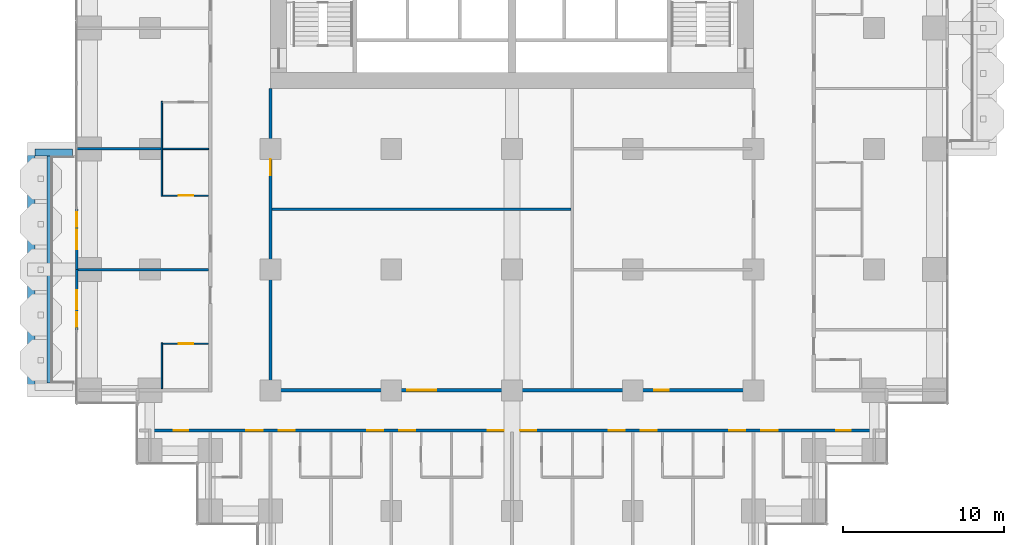
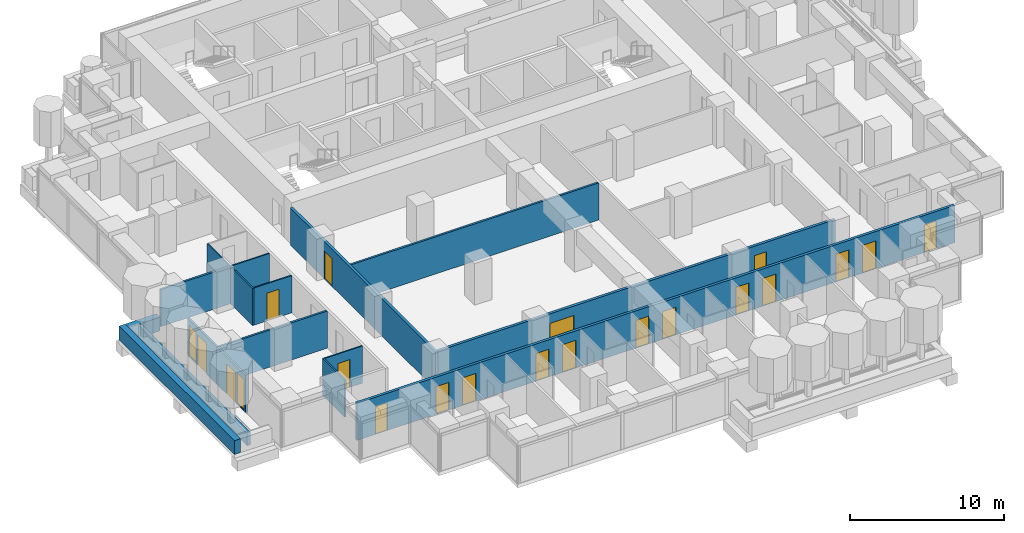
# One storey, part 12 of 20: 19 doors, 16 walls, 2 windows, 21 openings.
"""IFC4 building model written with IfcOpenShell, lengths in metres."""

from ifc_helpers import new_model, si_unit, direction, frame, frame_2d, origin, place, context, subcontext, project, spatial, rectangle, extrude, material, layer, layer_set, type_object, element, fill, save


model = new_model("IFC4")

# Units and contexts
model_context = context("Model", 3, precision=1e-05, world=origin(), true_north=direction((0.0, 1.0)))
body_context = subcontext(model_context, "Body", "Model", "MODEL_VIEW")
ifc_project = project(units=[si_unit("LENGTHUNIT", "METRE"), si_unit("AREAUNIT", "SQUARE_METRE"), si_unit("VOLUMEUNIT", "CUBIC_METRE"), si_unit("PLANEANGLEUNIT", "RADIAN"), si_unit("MASSUNIT", "GRAM", prefix="KILO")], contexts=[model_context])

# Site, building, storey
site_placement = place(None, origin())
site = spatial("IfcSite", under=ifc_project, at=site_placement, CompositionType="ELEMENT")
building_placement = place(site_placement, origin())
building = spatial("IfcBuilding", under=site, at=building_placement, Name="Pilkhan Gate Tower", CompositionType="ELEMENT")
storey_placement = place(building_placement, frame((0.0, 0.0, 98.89990234375)))
storey = spatial("IfcBuildingStorey", under=building, at=storey_placement, Name="L24", CompositionType="ELEMENT", Elevation=98.89990234375)

# Walls
ifc_material_1 = material(Name="Concrete C40/50", Category="concrete")
ifc_layer_1 = layer(ifc_material_1, 0.25)
ifc_layer_set_1 = layer_set([ifc_layer_1], Name="Balcony planter BP250")
wall_type_1 = type_object("IfcWallType", Name="Balcony planter BP250", PredefinedType="USERDEFINED", material=ifc_layer_set_1)
wall_1_placement = place(storey_placement, frame((46.22509765625, 52.949951171875, 0.0), z_axis=(0.0, 0.0, 1.0), x_axis=(0.0, 1.0, 0.0)))
element("IfcWall", 1, at=wall_1_placement, inside=storey, type_object=wall_type_1, Name="Balcony planter L24 W", ObjectType="BALCONY PLANTER", PredefinedType="USERDEFINED", context=body_context, shape_type="SweptSolid", body=[
    extrude(rectangle(XDim=14.10009765625, YDim=0.25, at=frame_2d((7.050048828125, 0.0))), origin(), (0.0, 0.0, 1.0), 1.0),
])
ifc_material_2 = material(Name="Board-marked Concrete C40/50", Category="concrete")
ifc_layer_2 = layer(ifc_material_2, 0.449951171875)
ifc_layer_set_2 = layer_set([ifc_layer_2], Name="Balcony planter lip BL450")
wall_type_2 = type_object("IfcWallType", Name="Balcony planter lip BL450", PredefinedType="USERDEFINED", material=ifc_layer_set_2)
wall_2_placement = place(storey_placement, frame((45.125, 52.5, 0.0), z_axis=(0.0, 0.0, 1.0), x_axis=(0.0, 1.0, 0.0)))
element("IfcWall", 2, at=wall_2_placement, inside=storey, type_object=wall_type_2, Name="Balcony planter L24 W", ObjectType="BALCONY PLANTER", PredefinedType="USERDEFINED", context=body_context, shape_type="SweptSolid", body=[
    extrude(rectangle(XDim=15.0, YDim=0.449951171875, at=frame_2d((7.5, 0.0))), origin(), (0.0, 0.0, 1.0), 1.10009765625),
])
wall_3_placement = place(storey_placement, frame((47.699951171875, 67.27490234375, 0.0), z_axis=(0.0, 0.0, 1.0), x_axis=(-1.0, 0.0, 0.0)))
element("IfcWall", 3, at=wall_3_placement, inside=storey, type_object=wall_type_2, Name="Balcony planter L24 W", ObjectType="BALCONY PLANTER", PredefinedType="USERDEFINED", context=body_context, shape_type="SweptSolid", body=[
    extrude(rectangle(XDim=2.349853515625, YDim=0.449951171875, at=frame_2d((1.1748046875, 0.0))), origin(), (0.0, 0.0, 1.0), 1.10009765625),
])

# Wall, openings, doors
ifc_material_3 = material(Name="Dense blockwork", Category="masonry")
ifc_layer_3 = layer(ifc_material_3, 0.199951171875)
ifc_layer_set_3 = layer_set([ifc_layer_3], Name="Corridor wall FW200")
wall_type_3 = type_object("IfcWallType", Name="Corridor wall FW200", PredefinedType="PARTITIONING", material=ifc_layer_set_3)
wall_4_placement = place(storey_placement, frame((52.574951171875, 50.0, 0.0), z_axis=(0.0, 0.0, 1.0), x_axis=(1.0, 0.0, 0.0)))
wall_4 = element("IfcWall", 4, at=wall_4_placement, inside=storey, type_object=wall_type_3, Name="Partition L24", PredefinedType="PARTITIONING", context=body_context, shape_type="SweptSolid", body=[
    extrude(rectangle(XDim=44.85009765625, YDim=0.199951171875, at=frame_2d((22.425048828125, 0.0))), origin(), (0.0, 0.0, 1.0), 2.9501953125),
])
opening_1_placement = place(wall_4_placement, frame((5.925048828125, 0.0, 0.0)))
opening_1 = element("IfcOpeningElement", 5, at=opening_1_placement, cuts=wall_4, Name="Opening L24-06", PredefinedType="OPENING", context=body_context, shape_type="SweptSolid", body=[
    extrude(rectangle(XDim=1.0, YDim=2.199951171875, at=frame_2d((0.5, 1.10009765625))), frame((0.0, 0.10986328125, 0.0), z_axis=(0.0, -1.0, 0.0), x_axis=(1.0, 0.0, 0.0)), (0.0, 0.0, 1.0), 0.219970703125),
])
opening_2_placement = place(wall_4_placement, frame((7.925048828125, 0.0, 0.0)))
opening_2 = element("IfcOpeningElement", 6, at=opening_2_placement, cuts=wall_4, Name="Opening L24-08", PredefinedType="OPENING", context=body_context, shape_type="SweptSolid", body=[
    extrude(rectangle(XDim=1.0, YDim=2.199951171875, at=frame_2d((0.5, 1.10009765625))), frame((0.0, 0.10986328125, 0.0), z_axis=(0.0, -1.0, 0.0), x_axis=(1.0, 0.0, 0.0)), (0.0, 0.0, 1.0), 0.219970703125),
])
opening_3_placement = place(wall_4_placement, frame((13.425048828125, 0.0, 0.0)))
opening_3 = element("IfcOpeningElement", 7, at=opening_3_placement, cuts=wall_4, Name="Opening L24-10", PredefinedType="OPENING", context=body_context, shape_type="SweptSolid", body=[
    extrude(rectangle(XDim=1.0, YDim=2.199951171875, at=frame_2d((0.5, 1.10009765625))), frame((0.0, 0.10986328125, 0.0), z_axis=(0.0, -1.0, 0.0), x_axis=(1.0, 0.0, 0.0)), (0.0, 0.0, 1.0), 0.219970703125),
])
opening_4_placement = place(wall_4_placement, frame((15.425048828125, 0.0, 0.0)))
opening_4 = element("IfcOpeningElement", 8, at=opening_4_placement, cuts=wall_4, Name="Opening L24-12", PredefinedType="OPENING", context=body_context, shape_type="SweptSolid", body=[
    extrude(rectangle(XDim=1.0, YDim=2.199951171875, at=frame_2d((0.5, 1.10009765625))), frame((0.0, 0.10986328125, 0.0), z_axis=(0.0, -1.0, 0.0), x_axis=(1.0, 0.0, 0.0)), (0.0, 0.0, 1.0), 0.219970703125),
])
opening_5_placement = place(wall_4_placement, frame((20.925048828125, 0.0, 0.0)))
opening_5 = element("IfcOpeningElement", 9, at=opening_5_placement, cuts=wall_4, Name="Opening L24-14", PredefinedType="OPENING", context=body_context, shape_type="SweptSolid", body=[
    extrude(rectangle(XDim=1.0, YDim=2.199951171875, at=frame_2d((0.5, 1.10009765625))), frame((0.0, 0.10986328125, 0.0), z_axis=(0.0, -1.0, 0.0), x_axis=(1.0, 0.0, 0.0)), (0.0, 0.0, 1.0), 0.219970703125),
])
opening_6_placement = place(wall_4_placement, frame((22.925048828125, 0.0, 0.0)))
opening_6 = element("IfcOpeningElement", 10, at=opening_6_placement, cuts=wall_4, Name="Opening L24-16", PredefinedType="OPENING", context=body_context, shape_type="SweptSolid", body=[
    extrude(rectangle(XDim=1.0, YDim=2.199951171875, at=frame_2d((0.5, 1.10009765625))), frame((0.0, 0.10986328125, 0.0), z_axis=(0.0, -1.0, 0.0), x_axis=(1.0, 0.0, 0.0)), (0.0, 0.0, 1.0), 0.219970703125),
])
opening_7_placement = place(wall_4_placement, frame((28.425048828125, 0.0, 0.0)))
opening_7 = element("IfcOpeningElement", 11, at=opening_7_placement, cuts=wall_4, Name="Opening L24-18", PredefinedType="OPENING", context=body_context, shape_type="SweptSolid", body=[
    extrude(rectangle(XDim=1.0, YDim=2.199951171875, at=frame_2d((0.5, 1.10009765625))), frame((0.0, 0.10986328125, 0.0), z_axis=(0.0, -1.0, 0.0), x_axis=(1.0, 0.0, 0.0)), (0.0, 0.0, 1.0), 0.219970703125),
])
opening_8_placement = place(wall_4_placement, frame((30.425048828125, 0.0, 0.0)))
opening_8 = element("IfcOpeningElement", 12, at=opening_8_placement, cuts=wall_4, Name="Opening L24-20", PredefinedType="OPENING", context=body_context, shape_type="SweptSolid", body=[
    extrude(rectangle(XDim=1.0, YDim=2.199951171875, at=frame_2d((0.5, 1.10009765625))), frame((0.0, 0.10986328125, 0.0), z_axis=(0.0, -1.0, 0.0), x_axis=(1.0, 0.0, 0.0)), (0.0, 0.0, 1.0), 0.219970703125),
])
opening_9_placement = place(wall_4_placement, frame((35.925048828125, 0.0, 0.0)))
opening_9 = element("IfcOpeningElement", 13, at=opening_9_placement, cuts=wall_4, Name="Opening L24-22", PredefinedType="OPENING", context=body_context, shape_type="SweptSolid", body=[
    extrude(rectangle(XDim=1.0, YDim=2.199951171875, at=frame_2d((0.5, 1.10009765625))), frame((0.0, 0.10986328125, 0.0), z_axis=(0.0, -1.0, 0.0), x_axis=(1.0, 0.0, 0.0)), (0.0, 0.0, 1.0), 0.219970703125),
])
opening_10_placement = place(wall_4_placement, frame((37.925048828125, 0.0, 0.0)))
opening_10 = element("IfcOpeningElement", 14, at=opening_10_placement, cuts=wall_4, Name="Opening L24-24", PredefinedType="OPENING", context=body_context, shape_type="SweptSolid", body=[
    extrude(rectangle(XDim=1.0, YDim=2.199951171875, at=frame_2d((0.5, 1.10009765625))), frame((0.0, 0.10986328125, 0.0), z_axis=(0.0, -1.0, 0.0), x_axis=(1.0, 0.0, 0.0)), (0.0, 0.0, 1.0), 0.219970703125),
])
opening_11_placement = place(wall_4_placement, frame((1.39990234375, 0.0, 0.0)))
opening_11 = element("IfcOpeningElement", 15, at=opening_11_placement, cuts=wall_4, Name="Opening L24-51", PredefinedType="OPENING", context=body_context, shape_type="SweptSolid", body=[
    extrude(rectangle(XDim=0.89990234375, YDim=2.199951171875, at=frame_2d((0.449951171875, 1.10009765625))), frame((0.0, 0.10986328125, 0.0), z_axis=(0.0, -1.0, 0.0), x_axis=(1.0, 0.0, 0.0)), (0.0, 0.0, 1.0), 0.219970703125),
])
opening_12_placement = place(wall_4_placement, frame((42.574951171875, 0.0, 0.0)))
opening_12 = element("IfcOpeningElement", 16, at=opening_12_placement, cuts=wall_4, Name="Opening L24-52", PredefinedType="OPENING", context=body_context, shape_type="SweptSolid", body=[
    extrude(rectangle(XDim=0.89990234375, YDim=2.199951171875, at=frame_2d((0.449951171875, 1.10009765625))), frame((0.0, 0.10986328125, 0.0), z_axis=(0.0, -1.0, 0.0), x_axis=(1.0, 0.0, 0.0)), (0.0, 0.0, 1.0), 0.219970703125),
])
ifc_material_4 = material(Name="Timber flush door, 30 minute fire resisting", Category="wood")
door_type_1 = type_object("IfcDoorType", Name="Guest room door D01 1000x2200", OperationType="SINGLE_SWING_LEFT", PredefinedType="DOOR", material=ifc_material_4)
door_1_placement = place(opening_1_placement, origin())
door_1 = element("IfcDoor", 17, at=door_1_placement, inside=storey, type_object=door_type_1, Name="Guest room door", OperationType="SINGLE_SWING_LEFT", OverallHeight=2.199951171875, OverallWidth=1.0, PredefinedType="DOOR", context=body_context, shape_type="SweptSolid", body=[
    extrude(rectangle(XDim=1.0, YDim=2.199951171875, at=frame_2d((0.5, 1.10009765625))), frame((0.0, 0.02490234375, 0.0), z_axis=(0.0, -1.0, 0.0), x_axis=(1.0, 0.0, 0.0)), (0.0, 0.0, 1.0), 0.050048828125),
])
fill(opening_1, door_1)
door_2_placement = place(opening_2_placement, origin())
door_2 = element("IfcDoor", 18, at=door_2_placement, inside=storey, type_object=door_type_1, Name="Guest room door", OperationType="SINGLE_SWING_RIGHT", OverallHeight=2.199951171875, OverallWidth=1.0, PredefinedType="DOOR", context=body_context, shape_type="SweptSolid", body=[
    extrude(rectangle(XDim=1.0, YDim=2.199951171875, at=frame_2d((0.5, 1.10009765625))), frame((0.0, 0.02490234375, 0.0), z_axis=(0.0, -1.0, 0.0), x_axis=(1.0, 0.0, 0.0)), (0.0, 0.0, 1.0), 0.050048828125),
])
fill(opening_2, door_2)
door_3_placement = place(opening_3_placement, origin())
door_3 = element("IfcDoor", 19, at=door_3_placement, inside=storey, type_object=door_type_1, Name="Guest room door", OperationType="SINGLE_SWING_LEFT", OverallHeight=2.199951171875, OverallWidth=1.0, PredefinedType="DOOR", context=body_context, shape_type="SweptSolid", body=[
    extrude(rectangle(XDim=1.0, YDim=2.199951171875, at=frame_2d((0.5, 1.10009765625))), frame((0.0, 0.02490234375, 0.0), z_axis=(0.0, -1.0, 0.0), x_axis=(1.0, 0.0, 0.0)), (0.0, 0.0, 1.0), 0.050048828125),
])
fill(opening_3, door_3)
door_4_placement = place(opening_4_placement, origin())
door_4 = element("IfcDoor", 20, at=door_4_placement, inside=storey, type_object=door_type_1, Name="Guest room door", OperationType="SINGLE_SWING_LEFT", OverallHeight=2.199951171875, OverallWidth=1.0, PredefinedType="DOOR", context=body_context, shape_type="SweptSolid", body=[
    extrude(rectangle(XDim=1.0, YDim=2.199951171875, at=frame_2d((0.5, 1.10009765625))), frame((0.0, 0.02490234375, 0.0), z_axis=(0.0, -1.0, 0.0), x_axis=(1.0, 0.0, 0.0)), (0.0, 0.0, 1.0), 0.050048828125),
])
fill(opening_4, door_4)
door_5_placement = place(opening_5_placement, origin())
door_5 = element("IfcDoor", 21, at=door_5_placement, inside=storey, type_object=door_type_1, Name="Guest room door", OperationType="SINGLE_SWING_LEFT", OverallHeight=2.199951171875, OverallWidth=1.0, PredefinedType="DOOR", context=body_context, shape_type="SweptSolid", body=[
    extrude(rectangle(XDim=1.0, YDim=2.199951171875, at=frame_2d((0.5, 1.10009765625))), frame((0.0, 0.02490234375, 0.0), z_axis=(0.0, -1.0, 0.0), x_axis=(1.0, 0.0, 0.0)), (0.0, 0.0, 1.0), 0.050048828125),
])
fill(opening_5, door_5)
door_6_placement = place(opening_6_placement, origin())
door_6 = element("IfcDoor", 22, at=door_6_placement, inside=storey, type_object=door_type_1, Name="Guest room door", OperationType="SINGLE_SWING_LEFT", OverallHeight=2.199951171875, OverallWidth=1.0, PredefinedType="DOOR", context=body_context, shape_type="SweptSolid", body=[
    extrude(rectangle(XDim=1.0, YDim=2.199951171875, at=frame_2d((0.5, 1.10009765625))), frame((0.0, 0.02490234375, 0.0), z_axis=(0.0, -1.0, 0.0), x_axis=(1.0, 0.0, 0.0)), (0.0, 0.0, 1.0), 0.050048828125),
])
fill(opening_6, door_6)
door_7_placement = place(opening_7_placement, origin())
door_7 = element("IfcDoor", 23, at=door_7_placement, inside=storey, type_object=door_type_1, Name="Guest room door", OperationType="SINGLE_SWING_LEFT", OverallHeight=2.199951171875, OverallWidth=1.0, PredefinedType="DOOR", context=body_context, shape_type="SweptSolid", body=[
    extrude(rectangle(XDim=1.0, YDim=2.199951171875, at=frame_2d((0.5, 1.10009765625))), frame((0.0, 0.02490234375, 0.0), z_axis=(0.0, -1.0, 0.0), x_axis=(1.0, 0.0, 0.0)), (0.0, 0.0, 1.0), 0.050048828125),
])
fill(opening_7, door_7)
door_8_placement = place(opening_8_placement, origin())
door_8 = element("IfcDoor", 24, at=door_8_placement, inside=storey, type_object=door_type_1, Name="Guest room door", OperationType="SINGLE_SWING_RIGHT", OverallHeight=2.199951171875, OverallWidth=1.0, PredefinedType="DOOR", context=body_context, shape_type="SweptSolid", body=[
    extrude(rectangle(XDim=1.0, YDim=2.199951171875, at=frame_2d((0.5, 1.10009765625))), frame((0.0, 0.02490234375, 0.0), z_axis=(0.0, -1.0, 0.0), x_axis=(1.0, 0.0, 0.0)), (0.0, 0.0, 1.0), 0.050048828125),
])
fill(opening_8, door_8)
door_9_placement = place(opening_9_placement, origin())
door_9 = element("IfcDoor", 25, at=door_9_placement, inside=storey, type_object=door_type_1, Name="Guest room door", OperationType="SINGLE_SWING_LEFT", OverallHeight=2.199951171875, OverallWidth=1.0, PredefinedType="DOOR", context=body_context, shape_type="SweptSolid", body=[
    extrude(rectangle(XDim=1.0, YDim=2.199951171875, at=frame_2d((0.5, 1.10009765625))), frame((0.0, 0.02490234375, 0.0), z_axis=(0.0, -1.0, 0.0), x_axis=(1.0, 0.0, 0.0)), (0.0, 0.0, 1.0), 0.050048828125),
])
fill(opening_9, door_9)
door_10_placement = place(opening_10_placement, origin())
door_10 = element("IfcDoor", 26, at=door_10_placement, inside=storey, type_object=door_type_1, Name="Guest room door", OperationType="SINGLE_SWING_LEFT", OverallHeight=2.199951171875, OverallWidth=1.0, PredefinedType="DOOR", context=body_context, shape_type="SweptSolid", body=[
    extrude(rectangle(XDim=1.0, YDim=2.199951171875, at=frame_2d((0.5, 1.10009765625))), frame((0.0, 0.02490234375, 0.0), z_axis=(0.0, -1.0, 0.0), x_axis=(1.0, 0.0, 0.0)), (0.0, 0.0, 1.0), 0.050048828125),
])
fill(opening_10, door_10)
ifc_material_5 = material(Name="Timber flush door, 60 minute fire resisting, self-closing", Category="wood")
door_type_2 = type_object("IfcDoorType", Name="Store door D05 900x2200", OperationType="SINGLE_SWING_LEFT", PredefinedType="DOOR", material=ifc_material_5)
door_11_placement = place(opening_11_placement, origin())
door_11 = element("IfcDoor", 27, at=door_11_placement, inside=storey, type_object=door_type_2, Name="Store door", OperationType="SINGLE_SWING_RIGHT", OverallHeight=2.199951171875, OverallWidth=0.89990234375, PredefinedType="DOOR", context=body_context, shape_type="SweptSolid", body=[
    extrude(rectangle(XDim=0.89990234375, YDim=2.199951171875, at=frame_2d((0.449951171875, 1.10009765625))), frame((0.0, 0.02490234375, 0.0), z_axis=(0.0, -1.0, 0.0), x_axis=(1.0, 0.0, 0.0)), (0.0, 0.0, 1.0), 0.050048828125),
])
fill(opening_11, door_11)
door_12_placement = place(opening_12_placement, origin())
door_12 = element("IfcDoor", 28, at=door_12_placement, inside=storey, type_object=door_type_2, Name="Store door", OperationType="SINGLE_SWING_LEFT", OverallHeight=2.199951171875, OverallWidth=0.89990234375, PredefinedType="DOOR", context=body_context, shape_type="SweptSolid", body=[
    extrude(rectangle(XDim=0.89990234375, YDim=2.199951171875, at=frame_2d((0.449951171875, 1.10009765625))), frame((0.0, 0.02490234375, 0.0), z_axis=(0.0, -1.0, 0.0), x_axis=(1.0, 0.0, 0.0)), (0.0, 0.0, 1.0), 0.050048828125),
])
fill(opening_12, door_12)

wall_5_placement = place(storey_placement, frame((60.10009765625, 52.5, 0.0), z_axis=(0.0, 0.0, 1.0), x_axis=(1.0, 0.0, 0.0)))
wall_5 = element("IfcWall", 29, at=wall_5_placement, inside=storey, type_object=wall_type_3, Name="Partition L24", PredefinedType="PARTITIONING", context=body_context, shape_type="SweptSolid", body=[
    extrude(rectangle(XDim=29.7998046875, YDim=0.199951171875, at=frame_2d((14.89990234375, 0.0))), origin(), (0.0, 0.0, 1.0), 2.9501953125),
])
opening_13_placement = place(wall_5_placement, frame((8.39990234375, 0.0, 0.0)))
opening_13 = element("IfcOpeningElement", 30, at=opening_13_placement, cuts=wall_5, Name="Opening L24-54", PredefinedType="OPENING", context=body_context, shape_type="SweptSolid", body=[
    extrude(rectangle(XDim=1.800048828125, YDim=2.199951171875, at=frame_2d((0.89990234375, 1.10009765625))), frame((0.0, 0.10986328125, 0.0), z_axis=(0.0, -1.0, 0.0), x_axis=(1.0, 0.0, 0.0)), (0.0, 0.0, 1.0), 0.219970703125),
])
opening_14_placement = place(wall_5_placement, frame((23.75, 0.0, 0.0)))
opening_14 = element("IfcOpeningElement", 31, at=opening_14_placement, cuts=wall_5, Name="Opening L24-55", PredefinedType="OPENING", context=body_context, shape_type="SweptSolid", body=[
    extrude(rectangle(XDim=0.89990234375, YDim=2.199951171875, at=frame_2d((0.449951171875, 1.10009765625))), frame((0.0, 0.10986328125, 0.0), z_axis=(0.0, -1.0, 0.0), x_axis=(1.0, 0.0, 0.0)), (0.0, 0.0, 1.0), 0.219970703125),
])
ifc_material_6 = material(Name="Timber glazed double door, 30 minute fire resisting", Category="wood")
door_type_3 = type_object("IfcDoorType", Name="Double door D04 1800x2200", OperationType="DOUBLE_DOOR_SINGLE_SWING", PredefinedType="DOOR", material=ifc_material_6)
door_13_placement = place(opening_13_placement, origin())
door_13 = element("IfcDoor", 32, at=door_13_placement, inside=storey, type_object=door_type_3, Name="Double door", OperationType="DOUBLE_DOOR_SINGLE_SWING", OverallHeight=2.199951171875, OverallWidth=1.800048828125, PredefinedType="DOOR", context=body_context, shape_type="SweptSolid", body=[
    extrude(rectangle(XDim=1.800048828125, YDim=2.199951171875, at=frame_2d((0.89990234375, 1.10009765625))), frame((0.0, 0.02490234375, 0.0), z_axis=(0.0, -1.0, 0.0), x_axis=(1.0, 0.0, 0.0)), (0.0, 0.0, 1.0), 0.050048828125),
])
fill(opening_13, door_13)
door_14_placement = place(opening_14_placement, origin())
door_14 = element("IfcDoor", 33, at=door_14_placement, inside=storey, type_object=door_type_2, Name="Store door", OperationType="SINGLE_SWING_LEFT", OverallHeight=2.199951171875, OverallWidth=0.89990234375, PredefinedType="DOOR", context=body_context, shape_type="SweptSolid", body=[
    extrude(rectangle(XDim=0.89990234375, YDim=2.199951171875, at=frame_2d((0.449951171875, 1.10009765625))), frame((0.0, 0.02490234375, 0.0), z_axis=(0.0, -1.0, 0.0), x_axis=(1.0, 0.0, 0.0)), (0.0, 0.0, 1.0), 0.050048828125),
])
fill(opening_14, door_14)

# Wall, opening, door
wall_6_placement = place(storey_placement, frame((60.0, 52.39990234375, 0.0), z_axis=(0.0, 0.0, 1.0), x_axis=(0.0, 1.0, 0.0)))
wall_6 = element("IfcWall", 34, at=wall_6_placement, inside=storey, type_object=wall_type_3, Name="Partition L24", PredefinedType="PARTITIONING", context=body_context, shape_type="SweptSolid", body=[
    extrude(rectangle(XDim=18.840087890625, YDim=0.199951171875, at=frame_2d((9.419921875, 0.0))), origin(), (0.0, 0.0, 1.0), 2.9501953125),
])
opening_15_placement = place(wall_6_placement, frame((13.449951171875, 0.0, 0.0)))
opening_15 = element("IfcOpeningElement", 35, at=opening_15_placement, cuts=wall_6, Name="Opening L24-57", PredefinedType="OPENING", context=body_context, shape_type="SweptSolid", body=[
    extrude(rectangle(XDim=1.0, YDim=2.199951171875, at=frame_2d((0.5, 1.10009765625))), frame((0.0, 0.10986328125, 0.0), z_axis=(0.0, -1.0, 0.0), x_axis=(1.0, 0.0, 0.0)), (0.0, 0.0, 1.0), 0.219970703125),
])
door_type_4 = type_object("IfcDoorType", Name="Room door D03 1000x2200", OperationType="SINGLE_SWING_LEFT", PredefinedType="DOOR", material=ifc_material_4)
door_15_placement = place(opening_15_placement, origin())
door_15 = element("IfcDoor", 36, at=door_15_placement, inside=storey, type_object=door_type_4, Name="Room door", OperationType="SINGLE_SWING_LEFT", OverallHeight=2.199951171875, OverallWidth=1.0, PredefinedType="DOOR", context=body_context, shape_type="SweptSolid", body=[
    extrude(rectangle(XDim=1.0, YDim=2.199951171875, at=frame_2d((0.5, 1.10009765625))), frame((0.0, 0.02490234375, 0.0), z_axis=(0.0, -1.0, 0.0), x_axis=(1.0, 0.0, 0.0)), (0.0, 0.0, 1.0), 0.050048828125),
])
fill(opening_15, door_15)

# Wall, openings, door, window
ifc_material_7 = material(Name="Pale anodised aluminium, clear laminated glazing", Category="aluminium")
ifc_layer_4 = layer(ifc_material_7, 0.14990234375)
ifc_layer_set_4 = layer_set([ifc_layer_4], Name="Facade infill wall IW150")
wall_type_4 = type_object("IfcWallType", Name="Facade infill wall IW150", PredefinedType="SOLIDWALL", material=ifc_layer_set_4)
wall_7_placement = place(storey_placement, frame((47.955078125, 56.25, 0.0), z_axis=(0.0, 0.0, 1.0), x_axis=(0.0, 1.0, 0.0)))
wall_7 = element("IfcWall", 37, at=wall_7_placement, inside=storey, type_object=wall_type_4, Name="Infill wall L24 W", PredefinedType="SOLIDWALL", context=body_context, shape_type="SweptSolid", body=[
    extrude(rectangle(XDim=3.75, YDim=0.14990234375, at=frame_2d((1.875, 0.0))), origin(), (0.0, 0.0, 1.0), 2.9501953125),
])
opening_16_placement = place(wall_7_placement, frame((0.1875, 0.0, 0.10009765625)))
opening_16 = element("IfcOpeningElement", 38, at=opening_16_placement, cuts=wall_7, Name="Opening W1", PredefinedType="OPENING", context=body_context, shape_type="SweptSolid", body=[
    extrude(rectangle(XDim=0.89990234375, YDim=2.39990234375, at=frame_2d((0.449951171875, 1.199951171875))), frame((0.0, 0.0849609375, 0.0), z_axis=(0.0, -1.0, 0.0), x_axis=(1.0, 0.0, 0.0)), (0.0, 0.0, 1.0), 0.169921875),
])
opening_17_placement = place(wall_7_placement, frame((1.27490234375, 0.0, 0.0)))
opening_17 = element("IfcOpeningElement", 39, at=opening_17_placement, cuts=wall_7, Name="Opening D1", PredefinedType="OPENING", context=body_context, shape_type="SweptSolid", body=[
    extrude(rectangle(XDim=1.199951171875, YDim=2.39990234375, at=frame_2d((0.60009765625, 1.199951171875))), frame((0.0, 0.0849609375, 0.0), z_axis=(0.0, -1.0, 0.0), x_axis=(1.0, 0.0, 0.0)), (0.0, 0.0, 1.0), 0.169921875),
])
ifc_material_8 = material(Name="Pale anodised aluminium, clear glazing", Category="aluminium")
door_type_5 = type_object("IfcDoorType", Name="Balcony door D1 1200x2400", OperationType="SINGLE_SWING_LEFT", PredefinedType="DOOR", material=ifc_material_8)
door_16_placement = place(opening_17_placement, origin())
door_16 = element("IfcDoor", 40, at=door_16_placement, inside=storey, type_object=door_type_5, Name="Balcony door L24", OperationType="SINGLE_SWING_LEFT", OverallHeight=2.39990234375, OverallWidth=1.199951171875, PredefinedType="DOOR", context=body_context, shape_type="SweptSolid", body=[
    extrude(rectangle(XDim=1.199951171875, YDim=2.39990234375, at=frame_2d((0.60009765625, 1.199951171875))), frame((0.0, 0.02490234375, 0.0), z_axis=(0.0, -1.0, 0.0), x_axis=(1.0, 0.0, 0.0)), (0.0, 0.0, 1.0), 0.050048828125),
])
fill(opening_17, door_16)
ifc_material_9 = material(Name="Pale anodised aluminium, clear double glazing", Category="aluminium")
window_type = type_object("IfcWindowType", Name="Window W1 900x2400", PartitioningType="SINGLE_PANEL", PredefinedType="WINDOW", material=ifc_material_9)
window_1_placement = place(opening_16_placement, origin())
window_1 = element("IfcWindow", 41, at=window_1_placement, inside=storey, type_object=window_type, Name="Window L24", OverallHeight=2.39990234375, OverallWidth=0.89990234375, PartitioningType="SINGLE_PANEL", PredefinedType="WINDOW", context=body_context, shape_type="SweptSolid", body=[
    extrude(rectangle(XDim=0.89990234375, YDim=2.39990234375, at=frame_2d((0.449951171875, 1.199951171875))), frame((0.0, 0.030029296875, 0.0), z_axis=(0.0, -1.0, 0.0), x_axis=(1.0, 0.0, 0.0)), (0.0, 0.0, 1.0), 0.06005859375),
])
fill(opening_16, window_1)

wall_8_placement = place(storey_placement, frame((47.955078125, 60.0, 0.0), z_axis=(0.0, 0.0, 1.0), x_axis=(0.0, 1.0, 0.0)))
wall_8 = element("IfcWall", 42, at=wall_8_placement, inside=storey, type_object=wall_type_4, Name="Infill wall L24 W", PredefinedType="SOLIDWALL", context=body_context, shape_type="SweptSolid", body=[
    extrude(rectangle(XDim=3.75, YDim=0.14990234375, at=frame_2d((1.875, 0.0))), origin(), (0.0, 0.0, 1.0), 2.9501953125),
])
opening_18_placement = place(wall_8_placement, frame((1.27490234375, 0.0, 0.0)))
opening_18 = element("IfcOpeningElement", 43, at=opening_18_placement, cuts=wall_8, Name="Opening D1", PredefinedType="OPENING", context=body_context, shape_type="SweptSolid", body=[
    extrude(rectangle(XDim=1.199951171875, YDim=2.39990234375, at=frame_2d((0.60009765625, 1.199951171875))), frame((0.0, 0.0849609375, 0.0), z_axis=(0.0, -1.0, 0.0), x_axis=(1.0, 0.0, 0.0)), (0.0, 0.0, 1.0), 0.169921875),
])
opening_19_placement = place(wall_8_placement, frame((2.66259765625, 0.0, 0.10009765625)))
opening_19 = element("IfcOpeningElement", 44, at=opening_19_placement, cuts=wall_8, Name="Opening W1", PredefinedType="OPENING", context=body_context, shape_type="SweptSolid", body=[
    extrude(rectangle(XDim=0.89990234375, YDim=2.39990234375, at=frame_2d((0.449951171875, 1.199951171875))), frame((0.0, 0.0849609375, 0.0), z_axis=(0.0, -1.0, 0.0), x_axis=(1.0, 0.0, 0.0)), (0.0, 0.0, 1.0), 0.169921875),
])
door_17_placement = place(opening_18_placement, origin())
door_17 = element("IfcDoor", 45, at=door_17_placement, inside=storey, type_object=door_type_5, Name="Balcony door L24", OperationType="SINGLE_SWING_LEFT", OverallHeight=2.39990234375, OverallWidth=1.199951171875, PredefinedType="DOOR", context=body_context, shape_type="SweptSolid", body=[
    extrude(rectangle(XDim=1.199951171875, YDim=2.39990234375, at=frame_2d((0.60009765625, 1.199951171875))), frame((0.0, 0.02490234375, 0.0), z_axis=(0.0, -1.0, 0.0), x_axis=(1.0, 0.0, 0.0)), (0.0, 0.0, 1.0), 0.050048828125),
])
fill(opening_18, door_17)
window_2_placement = place(opening_19_placement, origin())
window_2 = element("IfcWindow", 46, at=window_2_placement, inside=storey, type_object=window_type, Name="Window L24", OverallHeight=2.39990234375, OverallWidth=0.89990234375, PartitioningType="SINGLE_PANEL", PredefinedType="WINDOW", context=body_context, shape_type="SweptSolid", body=[
    extrude(rectangle(XDim=0.89990234375, YDim=2.39990234375, at=frame_2d((0.449951171875, 1.199951171875))), frame((0.0, 0.030029296875, 0.0), z_axis=(0.0, -1.0, 0.0), x_axis=(1.0, 0.0, 0.0)), (0.0, 0.0, 1.0), 0.06005859375),
])
fill(opening_19, window_2)

# Walls
ifc_material_10 = material(Name="Blockwork partition, plastered both sides", Category="masonry")
ifc_layer_5 = layer(ifc_material_10, 0.14990234375)
ifc_layer_set_5 = layer_set([ifc_layer_5], Name="Partition PW150")
wall_type_5 = type_object("IfcWallType", Name="Partition PW150", PredefinedType="PARTITIONING", material=ifc_layer_set_5)
wall_9_placement = place(storey_placement, frame((48.0400390625, 60.0, 0.0), z_axis=(0.0, 0.0, 1.0), x_axis=(1.0, 0.0, 0.0)))
element("IfcWall", 47, at=wall_9_placement, inside=storey, type_object=wall_type_5, Name="Partition L24", PredefinedType="PARTITIONING", context=body_context, shape_type="SweptSolid", body=[
    extrude(rectangle(XDim=8.10986328125, YDim=0.14990234375, at=frame_2d((4.054931640625, 0.0))), origin(), (0.0, 0.0, 1.0), 2.9501953125),
])
wall_10_placement = place(storey_placement, frame((60.10009765625, 63.75, 0.0), z_axis=(0.0, 0.0, 1.0), x_axis=(1.0, 0.0, 0.0)))
element("IfcWall", 48, at=wall_10_placement, inside=storey, type_object=wall_type_5, Name="Partition L24", PredefinedType="PARTITIONING", context=body_context, shape_type="SweptSolid", body=[
    extrude(rectangle(XDim=18.574951171875, YDim=0.14990234375, at=frame_2d((9.28759765625, 0.0))), origin(), (0.0, 0.0, 1.0), 2.9501953125),
])
wall_11_placement = place(storey_placement, frame((47.985107421875, 67.5, 0.0), z_axis=(0.0, 0.0, 1.0), x_axis=(1.0, 0.0, 0.0)))
element("IfcWall", 49, at=wall_11_placement, inside=storey, type_object=wall_type_5, Name="Partition L24", PredefinedType="PARTITIONING", context=body_context, shape_type="SweptSolid", body=[
    extrude(rectangle(XDim=5.21484375, YDim=0.14990234375, at=frame_2d((2.607421875, 0.0))), origin(), (0.0, 0.0, 1.0), 2.9501953125),
])

# Wall, opening, door
ifc_material_11 = material(Name="Moisture resistant board, tiled")
ifc_layer_6 = layer(ifc_material_11, 0.10009765625)
ifc_layer_set_6 = layer_set([ifc_layer_6], Name="Wet wall PW100")
wall_type_6 = type_object("IfcWallType", Name="Wet wall PW100", PredefinedType="PARTITIONING", material=ifc_layer_set_6)
wall_12_placement = place(storey_placement, frame((53.300048828125, 55.39990234375, 0.0), z_axis=(0.0, 0.0, 1.0), x_axis=(1.0, 0.0, 0.0)))
wall_12 = element("IfcWall", 50, at=wall_12_placement, inside=storey, type_object=wall_type_6, Name="Partition L24", PredefinedType="PARTITIONING", context=body_context, shape_type="SweptSolid", body=[
    extrude(rectangle(XDim=2.849853515625, YDim=0.10009765625, at=frame_2d((1.4248046875, 0.0))), origin(), (0.0, 0.0, 1.0), 2.9501953125),
])
opening_20_placement = place(wall_12_placement, frame((1.0, 0.0, 0.0)))
opening_20 = element("IfcOpeningElement", 51, at=opening_20_placement, cuts=wall_12, Name="Opening L24-27", PredefinedType="OPENING", context=body_context, shape_type="SweptSolid", body=[
    extrude(rectangle(XDim=0.89990234375, YDim=2.199951171875, at=frame_2d((0.449951171875, 1.10009765625))), frame((0.0, 0.06005859375, 0.0), z_axis=(0.0, -1.0, 0.0), x_axis=(1.0, 0.0, 0.0)), (0.0, 0.0, 1.0), 0.1201171875),
])
ifc_material_12 = material(Name="Timber flush door", Category="wood")
door_type_6 = type_object("IfcDoorType", Name="Bathroom door D02 900x2200", OperationType="SINGLE_SWING_RIGHT", PredefinedType="DOOR", material=ifc_material_12)
door_18_placement = place(opening_20_placement, origin())
door_18 = element("IfcDoor", 52, at=door_18_placement, inside=storey, type_object=door_type_6, Name="Bathroom door", OperationType="SINGLE_SWING_RIGHT", OverallHeight=2.199951171875, OverallWidth=0.89990234375, PredefinedType="DOOR", context=body_context, shape_type="SweptSolid", body=[
    extrude(rectangle(XDim=0.89990234375, YDim=2.199951171875, at=frame_2d((0.449951171875, 1.10009765625))), frame((0.0, 0.02490234375, 0.0), z_axis=(0.0, -1.0, 0.0), x_axis=(1.0, 0.0, 0.0)), (0.0, 0.0, 1.0), 0.050048828125),
])
fill(opening_20, door_18)

wall_13_placement = place(storey_placement, frame((53.300048828125, 64.60009765625, 0.0), z_axis=(0.0, 0.0, 1.0), x_axis=(1.0, 0.0, 0.0)))
wall_13 = element("IfcWall", 53, at=wall_13_placement, inside=storey, type_object=wall_type_6, Name="Partition L24", PredefinedType="PARTITIONING", context=body_context, shape_type="SweptSolid", body=[
    extrude(rectangle(XDim=2.849853515625, YDim=0.10009765625, at=frame_2d((1.4248046875, 0.0))), origin(), (0.0, 0.0, 1.0), 2.9501953125),
])
opening_21_placement = place(wall_13_placement, frame((1.0, 0.0, 0.0)))
opening_21 = element("IfcOpeningElement", 54, at=opening_21_placement, cuts=wall_13, Name="Opening L24-29", PredefinedType="OPENING", context=body_context, shape_type="SweptSolid", body=[
    extrude(rectangle(XDim=0.89990234375, YDim=2.199951171875, at=frame_2d((0.449951171875, 1.10009765625))), frame((0.0, 0.06005859375, 0.0), z_axis=(0.0, -1.0, 0.0), x_axis=(1.0, 0.0, 0.0)), (0.0, 0.0, 1.0), 0.1201171875),
])
door_19_placement = place(opening_21_placement, origin())
door_19 = element("IfcDoor", 55, at=door_19_placement, inside=storey, type_object=door_type_6, Name="Bathroom door", OperationType="SINGLE_SWING_RIGHT", OverallHeight=2.199951171875, OverallWidth=0.89990234375, PredefinedType="DOOR", context=body_context, shape_type="SweptSolid", body=[
    extrude(rectangle(XDim=0.89990234375, YDim=2.199951171875, at=frame_2d((0.449951171875, 1.10009765625))), frame((0.0, 0.02490234375, 0.0), z_axis=(0.0, -1.0, 0.0), x_axis=(1.0, 0.0, 0.0)), (0.0, 0.0, 1.0), 0.050048828125),
])
fill(opening_21, door_19)

# Walls
for number, where, z_axis, x_axis, name in (
    (56, (53.300048828125, 67.5, 0.0), (0.0, 0.0, 1.0), (1.0, 0.0, 0.0), "Partition L24"),
    (57, (53.25, 52.60009765625, 0.0), (0.0, 0.0, 1.0), (0.0, 1.0, 0.0), "Partition L24"),
):
    element("IfcWall", number, at=place(storey_placement, frame(where, z_axis=z_axis, x_axis=x_axis)), inside=storey, type_object=wall_type_6, Name=name, PredefinedType="PARTITIONING", context=body_context, shape_type="SweptSolid", body=[
        extrude(rectangle(XDim=2.849853515625, YDim=0.10009765625, at=frame_2d((1.4248046875, 0.0))), origin(), (0.0, 0.0, 1.0), 2.9501953125),
    ])
wall_14_placement = place(storey_placement, frame((53.25, 64.550048828125, 0.0), z_axis=(0.0, 0.0, 1.0), x_axis=(0.0, 1.0, 0.0)))
element("IfcWall", 58, at=wall_14_placement, inside=storey, type_object=wall_type_6, Name="Partition L24", PredefinedType="PARTITIONING", context=body_context, shape_type="SweptSolid", body=[
    extrude(rectangle(XDim=5.89990234375, YDim=0.10009765625, at=frame_2d((2.949951171875, 0.0))), origin(), (0.0, 0.0, 1.0), 2.9501953125),
])

save(model, "model.ifc")
